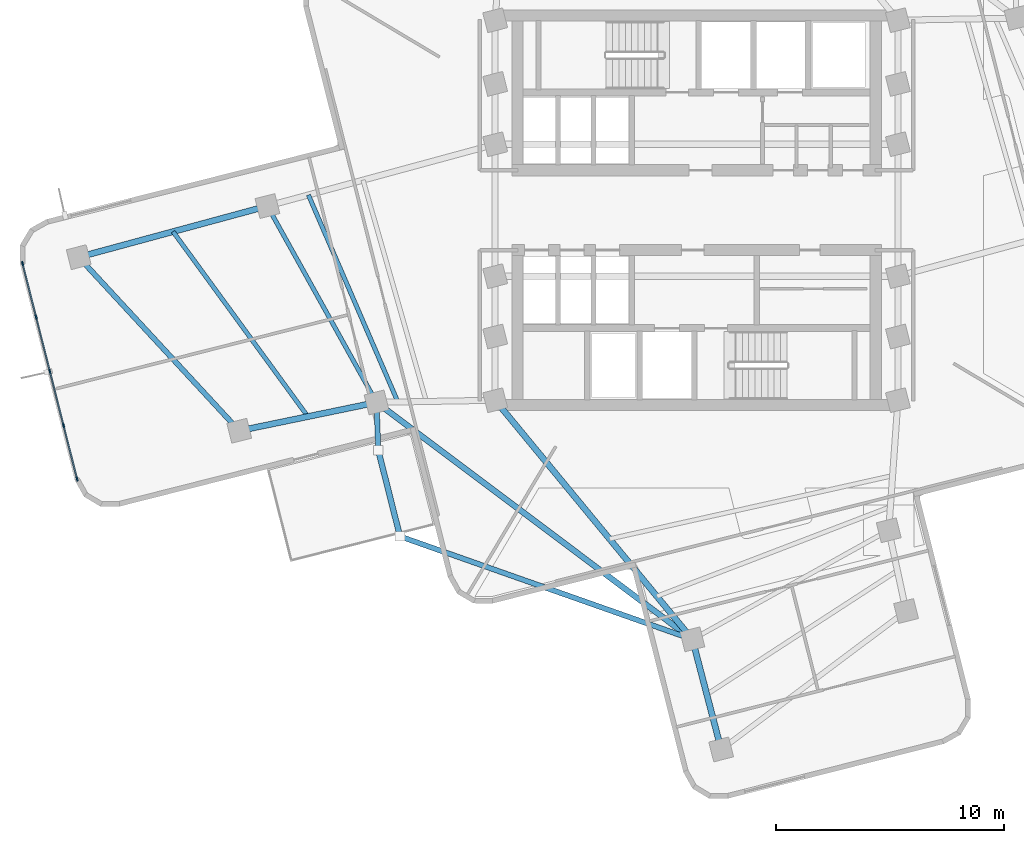
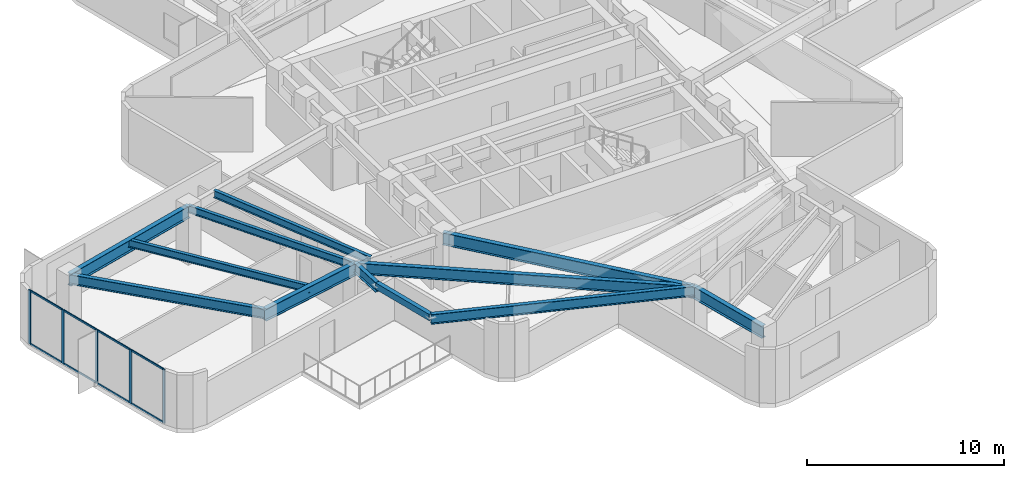
# One storey, part 2 of 11: 13 members, 12 beams, 1 element without a shape of its own.
"""IFC4 building model written with IfcOpenShell, lengths in metres."""

from ifc_helpers import new_model, si_unit, direction, frame, origin, origin_2d, place, context, subcontext, project, spatial, rectangle, hollow_rectangle, i_section, extrude, material, layer, layer_set, material_profile, profile_set, type_object, element, aggregate, save


model = new_model("IFC4")

# Units and contexts
model_context = context("Model", 3, precision=1e-05, world=origin(), true_north=direction((0.0, 1.0)))
body_context = subcontext(model_context, "Body", "Model", "MODEL_VIEW")
ifc_project = project(units=[si_unit("LENGTHUNIT", "METRE"), si_unit("AREAUNIT", "SQUARE_METRE"), si_unit("VOLUMEUNIT", "CUBIC_METRE"), si_unit("PLANEANGLEUNIT", "RADIAN"), si_unit("MASSUNIT", "GRAM", prefix="KILO")], contexts=[model_context])

# Site, building, storey
site_placement = place(None, origin())
site = spatial("IfcSite", under=ifc_project, at=site_placement, CompositionType="ELEMENT")
building_placement = place(site_placement, origin())
building = spatial("IfcBuilding", under=site, at=building_placement, Name="Solmarez Civic Tower", CompositionType="ELEMENT")
storey_placement = place(building_placement, frame((0.0, 0.0, 127.080078125)))
storey = spatial("IfcBuildingStorey", under=building, at=storey_placement, Name="L33", CompositionType="ELEMENT", Elevation=127.080078125)

# Beams
ifc_material_1 = material(Name="Steel S355", Category="steel")
ifc_material_profile_1 = material_profile(ifc_material_1, i_section(OverallWidth=0.19189453125, OverallDepth=0.462890625, WebThickness=0.010498046875, FlangeThickness=0.017578125, at=origin_2d()), Name="W18X60")
ifc_profile_set_1 = profile_set([ifc_material_profile_1], Name="Steel S355")
beam_type_1 = type_object("IfcBeamType", Name="BM-JS-W18X60", PredefinedType="JOIST", material=ifc_profile_set_1)
beam_1_placement = place(storey_placement, frame((-18.860107421875, 0.18310546875, 3.10791015625), z_axis=(0.485852902718, -0.874040592261, 0.0), x_axis=(0.874040592261, 0.485852902718, 0.0)))
element("IfcBeam", 1, at=beam_1_placement, inside=storey, type_object=beam_type_1, Name="L33 Secondary Floor Joist BM-L33-WA-T1", PredefinedType="JOIST", context=body_context, shape_type="SweptSolid", body=[
    extrude(i_section(OverallWidth=0.19189453125, OverallDepth=0.462890625, WebThickness=0.010498046875, FlangeThickness=0.017578125, at=origin_2d()), origin(), (0.0, 0.0, 1.0), 9.87158203125),
])
beam_2_placement = place(storey_placement, frame((-23.006103515625, -0.94091796875, 3.10791015625), z_axis=(0.589058914091, -0.808090091345, 0.0), x_axis=(0.808090091345, 0.589058914091, 0.0)))
element("IfcBeam", 2, at=beam_2_placement, inside=storey, type_object=beam_type_1, Name="L33 Secondary Floor Joist JS-L33-WA-M2", PredefinedType="JOIST", context=body_context, shape_type="SweptSolid", body=[
    extrude(i_section(OverallWidth=0.19189453125, OverallDepth=0.462890625, WebThickness=0.010498046875, FlangeThickness=0.017578125, at=origin_2d()), origin(), (0.0, 0.0, 1.0), 10.05859375),
])
beam_3_placement = place(storey_placement, frame((-17.05810546875, 0.672119140625, 3.10791015625), z_axis=(0.396735074316, -0.917933157048, 0.0), x_axis=(0.917933157048, 0.396735074316, 0.0)))
element("IfcBeam", 3, at=beam_3_placement, inside=storey, type_object=beam_type_1, Name="L33 Secondary Floor Joist JS-L33-WA-M12", PredefinedType="JOIST", context=body_context, shape_type="SweptSolid", body=[
    extrude(i_section(OverallWidth=0.19189453125, OverallDepth=0.462890625, WebThickness=0.010498046875, FlangeThickness=0.017578125, at=origin_2d()), origin(), (0.0, 0.0, 1.0), 9.91357421875),
])
ifc_material_profile_2 = material_profile(ifc_material_1, i_section(OverallWidth=0.25390625, OverallDepth=0.68798828125, WebThickness=0.01318359375, FlangeThickness=0.02099609375, at=origin_2d()), Name="W27X102")
ifc_profile_set_2 = profile_set([ifc_material_profile_2], Name="Steel S355")
beam_type_2 = type_object("IfcBeamType", Name="BM-PR-W27X102", PredefinedType="BEAM", material=ifc_profile_set_2)
beam_4_placement = place(storey_placement, frame((-14.06396484375, -8.445068359375, 2.995849609375), z_axis=(0.799878431775, -0.600162056766, 0.0), x_axis=(0.600162056766, 0.799878431775, 0.0)))
element("IfcBeam", 4, at=beam_4_placement, inside=storey, type_object=beam_type_2, Name="L33 Primary Floor Beam BM-L33-BALC-SWC", PredefinedType="BEAM", context=body_context, shape_type="SweptSolid", body=[
    extrude(i_section(OverallWidth=0.25390625, OverallDepth=0.68798828125, WebThickness=0.01318359375, FlangeThickness=0.02099609375, at=origin_2d()), origin(), (0.0, 0.0, 1.0), 17.353759765625),
])
ifc_material_profile_3 = material_profile(ifc_material_1, i_section(OverallWidth=0.26708984375, OverallDepth=0.761962890625, WebThickness=0.014404296875, FlangeThickness=0.021484375, at=origin_2d()), Name="W30X116")
ifc_profile_set_3 = profile_set([ifc_material_profile_3], Name="Steel S355")
beam_type_3 = type_object("IfcBeamType", Name="BM-PR-W30X116", PredefinedType="BEAM", material=ifc_profile_set_3)
beam_5_placement = place(storey_placement, frame((-18.860107421875, 0.18310546875, 2.958984375), z_axis=(-0.965195296066, -0.261530190326, 0.0), x_axis=(0.261530190326, -0.965195296066, 0.0)))
element("IfcBeam", 5, at=beam_5_placement, inside=storey, type_object=beam_type_3, Name="L33 Primary Floor Beam BM-L33-WA-R2A", PredefinedType="BEAM", context=body_context, shape_type="SweptSolid", body=[
    extrude(i_section(OverallWidth=0.26708984375, OverallDepth=0.761962890625, WebThickness=0.014404296875, FlangeThickness=0.021484375, at=origin_2d()), origin(), (0.0, 0.0, 1.0), 8.592041015625),
])
beam_6_placement = place(storey_placement, frame((-14.06396484375, -8.445068359375, 2.958984375), z_axis=(-0.979311082476, -0.202360578523, 0.0), x_axis=(0.202360578523, -0.979311082476, 0.0)))
element("IfcBeam", 6, at=beam_6_placement, inside=storey, type_object=beam_type_3, Name="L33 Primary Floor Beam BM-L33-WA-R2B", PredefinedType="BEAM", context=body_context, shape_type="SweptSolid", body=[
    extrude(i_section(OverallWidth=0.26708984375, OverallDepth=0.761962890625, WebThickness=0.014404296875, FlangeThickness=0.021484375, at=origin_2d()), origin(), (0.0, 0.0, 1.0), 6.161376953125),
])
beam_7_placement = place(storey_placement, frame((-8.85009765625, -8.35009765625, 2.958984375), z_axis=(0.636218453069, -0.77150896299, 0.0), x_axis=(0.77150896299, 0.636218453069, 0.0)))
element("IfcBeam", 7, at=beam_7_placement, inside=storey, type_object=beam_type_3, Name="L33 Primary Floor Beam BM-L33-SA-R1A", PredefinedType="BEAM", context=body_context, shape_type="SweptSolid", body=[
    extrude(i_section(OverallWidth=0.26708984375, OverallDepth=0.761962890625, WebThickness=0.014404296875, FlangeThickness=0.021484375, at=origin_2d()), origin(), (0.0, 0.0, 1.0), 13.62255859375),
])
beam_8_placement = place(storey_placement, frame((-0.18310546875, -18.860107421875, 2.958984375), z_axis=(0.253228832632, -0.967406408043, 0.0), x_axis=(0.967406408043, 0.253228832632, 0.0)))
element("IfcBeam", 8, at=beam_8_placement, inside=storey, type_object=beam_type_3, Name="L33 Primary Floor Beam BM-L33-SA-R2A", PredefinedType="BEAM", context=body_context, shape_type="SweptSolid", body=[
    extrude(i_section(OverallWidth=0.26708984375, OverallDepth=0.761962890625, WebThickness=0.014404296875, FlangeThickness=0.021484375, at=origin_2d()), origin(), (0.0, 0.0, 1.0), 5.0),
])
ifc_material_profile_4 = material_profile(ifc_material_1, hollow_rectangle(XDim=0.25, YDim=0.39990234375, WallThickness=0.01611328125, at=origin_2d()), Name="HSS400X250X16")
ifc_profile_set_4 = profile_set([ifc_material_profile_4], Name="Steel S355")
beam_type_4 = type_object("IfcBeamType", Name="BM-SP-HSS400X250", PredefinedType="SPANDREL", material=ifc_profile_set_4)
beam_9_placement = place(storey_placement, frame((-13.988037109375, -10.553955078125, 3.139892578125), z_axis=(0.245141857884, -0.969487219881, 0.0), x_axis=(0.969487219881, 0.245141857884, 0.0)))
element("IfcBeam", 9, at=beam_9_placement, inside=storey, type_object=beam_type_4, Name="L33 Perimeter Spandrel Beam BM-L33-BALC-SWE", PredefinedType="SPANDREL", context=body_context, shape_type="SweptSolid", body=[
    extrude(hollow_rectangle(XDim=0.25, YDim=0.39990234375, WallThickness=0.01611328125, at=origin_2d()), origin(), (0.0, 0.0, 1.0), 3.89990234375),
])
ifc_material_profile_5 = material_profile(ifc_material_1, i_section(OverallWidth=0.22900390625, OverallDepth=0.612060546875, WebThickness=0.011962890625, FlangeThickness=0.01953125, at=origin_2d()), Name="W24X84")
ifc_profile_set_5 = profile_set([ifc_material_profile_5], Name="Steel S355")
beam_type_5 = type_object("IfcBeamType", Name="BM-SP-W24X84", PredefinedType="SPANDREL", material=ifc_profile_set_5)
beam_10_placement = place(storey_placement, frame((-27.153076171875, -2.06396484375, 3.033935546875), z_axis=(0.679007792344, -0.734131063187, 0.0), x_axis=(0.734131063187, 0.679007792344, 0.0)))
element("IfcBeam", 10, at=beam_10_placement, inside=storey, type_object=beam_type_5, Name="L33 Perimeter Spandrel Beam BM-L33-WA-T2", PredefinedType="SPANDREL", context=body_context, shape_type="SweptSolid", body=[
    extrude(i_section(OverallWidth=0.22900390625, OverallDepth=0.612060546875, WebThickness=0.011962890625, FlangeThickness=0.01953125, at=origin_2d()), origin(), (0.0, 0.0, 1.0), 10.390380859375),
])
beam_11_placement = place(storey_placement, frame((-14.06396484375, -8.445068359375, 3.033935546875), z_axis=(0.035980392021, -0.999352496064, 0.0), x_axis=(0.999352496064, 0.035980392021, 0.0)))
element("IfcBeam", 11, at=beam_11_placement, inside=storey, type_object=beam_type_5, Name="L33 Perimeter Spandrel Beam BM-L33-BALC-SW1", PredefinedType="SPANDREL", context=body_context, shape_type="SweptSolid", body=[
    extrude(i_section(OverallWidth=0.22900390625, OverallDepth=0.612060546875, WebThickness=0.011962890625, FlangeThickness=0.01953125, at=origin_2d()), origin(), (0.0, 0.0, 1.0), 2.1103515625),
])
beam_12_placement = place(storey_placement, frame((-0.18310546875, -18.860107421875, 3.033935546875), z_axis=(-0.943214777397, 0.332183509074, 0.0), x_axis=(-0.332183509074, -0.943214777397, 0.0)))
element("IfcBeam", 12, at=beam_12_placement, inside=storey, type_object=beam_type_5, Name="L33 Perimeter Spandrel Beam BM-L33-BALC-SW2", PredefinedType="SPANDREL", context=body_context, shape_type="SweptSolid", body=[
    extrude(i_section(OverallWidth=0.22900390625, OverallDepth=0.612060546875, WebThickness=0.011962890625, FlangeThickness=0.01953125, at=origin_2d()), origin(), (0.0, 0.0, 1.0), 13.622314453125),
])

# Curtain wall, members
ifc_material_2 = material(Name="Bronze Anodised Aluminium EN AW-6063 T6", Category="aluminium")
ifc_layer = layer(ifc_material_2, 0.155029296875)
ifc_layer_set = layer_set([ifc_layer], Name="Bronze Anodised Aluminium EN AW-6063 T6")
curtain_wall_type = type_object("IfcCurtainWallType", Name="CW-SYS-6", PredefinedType="NOTDEFINED", material=ifc_layer_set)
curtain_wall_placement = place(storey_placement, origin())
curtain_wall = element("IfcCurtainWall", 13, at=curtain_wall_placement, inside=storey, type_object=curtain_wall_type, Name="L33 Stick-Built Curtain Wall 1", PredefinedType="NOTDEFINED")
ifc_material_profile_6 = material_profile(ifc_material_2, rectangle(XDim=0.070068359375, YDim=0.179931640625, at=origin_2d()), Name="CWM-70X180")
ifc_profile_set_6 = profile_set([ifc_material_profile_6], Name="Bronze Anodised Aluminium EN AW-6063 T6")
member_type_1 = type_object("IfcMemberType", Name="CWM-TYPE-2", PredefinedType="MULLION", material=ifc_profile_set_6)
member_1_placement = place(storey_placement, frame((-27.2236328125, -11.81396484375, 0.0), z_axis=(0.0, 0.0, 1.0), x_axis=(-0.969445135181, -0.245308234417, 0.0)))
member_1 = element("IfcMember", 14, at=member_1_placement, type_object=member_type_1, Name="CWS6 mullion 1", PredefinedType="MULLION", context=body_context, shape_type="SweptSolid", body=[
    extrude(rectangle(XDim=0.070068359375, YDim=0.179931640625, at=origin_2d()), origin(), (0.0, 0.0, 1.0), 3.33984375),
])
member_2_placement = place(storey_placement, frame((-27.818603515625, -9.462890625, 0.0), z_axis=(0.0, 0.0, 1.0), x_axis=(-0.969445135181, -0.245308234417, 0.0)))
member_2 = element("IfcMember", 15, at=member_2_placement, type_object=member_type_1, Name="CWS6 mullion 2", PredefinedType="MULLION", context=body_context, shape_type="SweptSolid", body=[
    extrude(rectangle(XDim=0.070068359375, YDim=0.179931640625, at=origin_2d()), origin(), (0.0, 0.0, 1.0), 3.33984375),
])
member_3_placement = place(storey_placement, frame((-28.422119140625, -7.077880859375, 0.0), z_axis=(0.0, 0.0, 1.0), x_axis=(-0.969445135181, -0.245308234417, 0.0)))
member_3 = element("IfcMember", 16, at=member_3_placement, type_object=member_type_1, Name="CWS6 mullion 3", PredefinedType="MULLION", context=body_context, shape_type="SweptSolid", body=[
    extrude(rectangle(XDim=0.070068359375, YDim=0.179931640625, at=origin_2d()), origin(), (0.0, 0.0, 1.0), 3.33984375),
])
member_4_placement = place(storey_placement, frame((-29.025390625, -4.693115234375, 0.0), z_axis=(0.0, 0.0, 1.0), x_axis=(-0.969445135181, -0.245308234417, 0.0)))
member_4 = element("IfcMember", 17, at=member_4_placement, type_object=member_type_1, Name="CWS6 mullion 4", PredefinedType="MULLION", context=body_context, shape_type="SweptSolid", body=[
    extrude(rectangle(XDim=0.070068359375, YDim=0.179931640625, at=origin_2d()), origin(), (0.0, 0.0, 1.0), 3.33984375),
])
member_5_placement = place(storey_placement, frame((-29.620361328125, -2.342041015625, 0.0), z_axis=(0.0, 0.0, 1.0), x_axis=(-0.969445135181, -0.245308234417, 0.0)))
member_5 = element("IfcMember", 18, at=member_5_placement, type_object=member_type_1, Name="CWS6 mullion 5", PredefinedType="MULLION", context=body_context, shape_type="SweptSolid", body=[
    extrude(rectangle(XDim=0.070068359375, YDim=0.179931640625, at=origin_2d()), origin(), (0.0, 0.0, 1.0), 3.33984375),
])
ifc_material_profile_7 = material_profile(ifc_material_2, rectangle(XDim=0.06005859375, YDim=0.110107421875, at=origin_2d()), Name="CWT-60X110")
ifc_profile_set_7 = profile_set([ifc_material_profile_7], Name="Bronze Anodised Aluminium EN AW-6063 T6")
member_type_2 = type_object("IfcMemberType", Name="CWT-TYPE-3", PredefinedType="USERDEFINED", material=ifc_profile_set_7)
member_6_placement = place(storey_placement, frame((-27.232177734375, -11.780029296875, 0.030029296875), z_axis=(-0.245266486498, 0.969455698111, 0.0), x_axis=(-0.969455698111, -0.245266486498, 0.0)))
member_6 = element("IfcMember", 19, at=member_6_placement, type_object=member_type_2, Name="CWS6 transom 1.1", ObjectType="TRANSOM", PredefinedType="USERDEFINED", context=body_context, shape_type="SweptSolid", body=[
    extrude(rectangle(XDim=0.06005859375, YDim=0.110107421875, at=origin_2d()), origin(), (0.0, 0.0, 1.0), 2.355224609375),
])
member_7_placement = place(storey_placement, frame((-27.232177734375, -11.780029296875, 3.309814453125), z_axis=(-0.245266486498, 0.969455698111, 0.0), x_axis=(-0.969455698111, -0.245266486498, 0.0)))
member_7 = element("IfcMember", 20, at=member_7_placement, type_object=member_type_2, Name="CWS6 transom 1.2", ObjectType="TRANSOM", PredefinedType="USERDEFINED", context=body_context, shape_type="SweptSolid", body=[
    extrude(rectangle(XDim=0.06005859375, YDim=0.110107421875, at=origin_2d()), origin(), (0.0, 0.0, 1.0), 2.355224609375),
])
member_8_placement = place(storey_placement, frame((-27.8271484375, -9.428955078125, 0.030029296875), z_axis=(-0.245250534277, 0.969459733788, 0.0), x_axis=(-0.969459733788, -0.245250534277, 0.0)))
member_8 = element("IfcMember", 21, at=member_8_placement, type_object=member_type_2, Name="CWS6 transom 2.1", ObjectType="TRANSOM", PredefinedType="USERDEFINED", context=body_context, shape_type="SweptSolid", body=[
    extrude(rectangle(XDim=0.06005859375, YDim=0.110107421875, at=origin_2d()), origin(), (0.0, 0.0, 1.0), 2.39013671875),
])
member_9_placement = place(storey_placement, frame((-27.8271484375, -9.428955078125, 3.309814453125), z_axis=(-0.245250534277, 0.969459733788, 0.0), x_axis=(-0.969459733788, -0.245250534277, 0.0)))
member_9 = element("IfcMember", 22, at=member_9_placement, type_object=member_type_2, Name="CWS6 transom 2.2", ObjectType="TRANSOM", PredefinedType="USERDEFINED", context=body_context, shape_type="SweptSolid", body=[
    extrude(rectangle(XDim=0.06005859375, YDim=0.110107421875, at=origin_2d()), origin(), (0.0, 0.0, 1.0), 2.39013671875),
])
member_10_placement = place(storey_placement, frame((-28.4306640625, -7.044189453125, 0.030029296875), z_axis=(-0.245250534277, 0.969459733788, 0.0), x_axis=(-0.969459733788, -0.245250534277, 0.0)))
member_10 = element("IfcMember", 23, at=member_10_placement, type_object=member_type_2, Name="CWS6 transom 3.1", ObjectType="TRANSOM", PredefinedType="USERDEFINED", context=body_context, shape_type="SweptSolid", body=[
    extrude(rectangle(XDim=0.06005859375, YDim=0.110107421875, at=origin_2d()), origin(), (0.0, 0.0, 1.0), 2.39013671875),
])
member_11_placement = place(storey_placement, frame((-28.4306640625, -7.044189453125, 3.309814453125), z_axis=(-0.245250534277, 0.969459733788, 0.0), x_axis=(-0.969459733788, -0.245250534277, 0.0)))
member_11 = element("IfcMember", 24, at=member_11_placement, type_object=member_type_2, Name="CWS6 transom 3.2", ObjectType="TRANSOM", PredefinedType="USERDEFINED", context=body_context, shape_type="SweptSolid", body=[
    extrude(rectangle(XDim=0.06005859375, YDim=0.110107421875, at=origin_2d()), origin(), (0.0, 0.0, 1.0), 2.39013671875),
])
member_12_placement = place(storey_placement, frame((-29.0341796875, -4.6591796875, 0.030029296875), z_axis=(-0.245266486498, 0.969455698111, 0.0), x_axis=(-0.969455698111, -0.245266486498, 0.0)))
member_12 = element("IfcMember", 25, at=member_12_placement, type_object=member_type_2, Name="CWS6 transom 4.1", ObjectType="TRANSOM", PredefinedType="USERDEFINED", context=body_context, shape_type="SweptSolid", body=[
    extrude(rectangle(XDim=0.06005859375, YDim=0.110107421875, at=origin_2d()), origin(), (0.0, 0.0, 1.0), 2.355224609375),
])
member_13_placement = place(storey_placement, frame((-29.0341796875, -4.6591796875, 3.309814453125), z_axis=(-0.245266486498, 0.969455698111, 0.0), x_axis=(-0.969455698111, -0.245266486498, 0.0)))
member_13 = element("IfcMember", 26, at=member_13_placement, type_object=member_type_2, Name="CWS6 transom 4.2", ObjectType="TRANSOM", PredefinedType="USERDEFINED", context=body_context, shape_type="SweptSolid", body=[
    extrude(rectangle(XDim=0.06005859375, YDim=0.110107421875, at=origin_2d()), origin(), (0.0, 0.0, 1.0), 2.355224609375),
])
aggregate(curtain_wall, [member_1, member_2, member_3, member_4, member_5, member_6, member_7, member_8, member_9, member_10, member_11, member_12, member_13])

save(model, "model.ifc")
